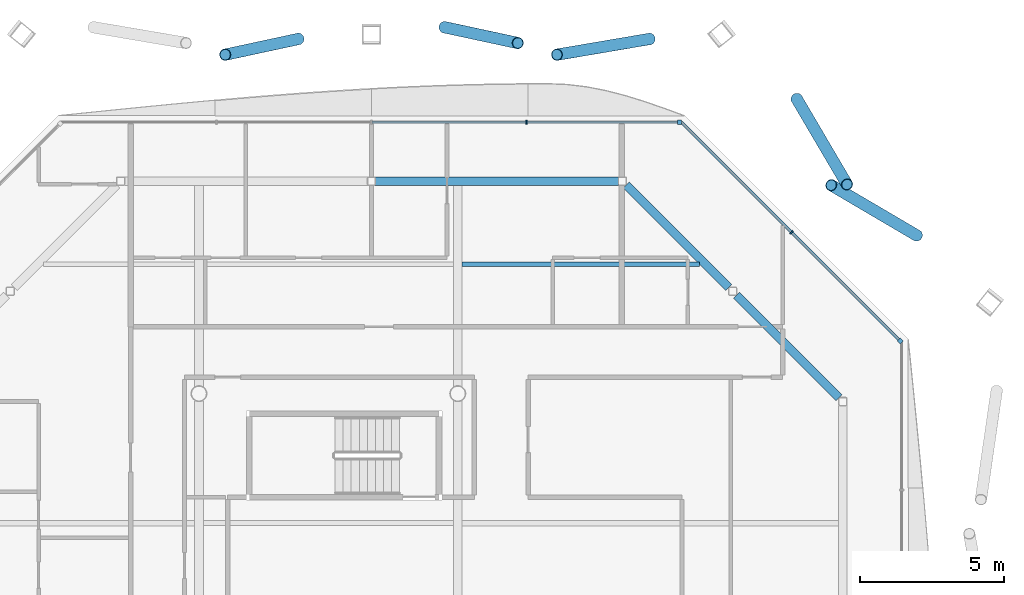
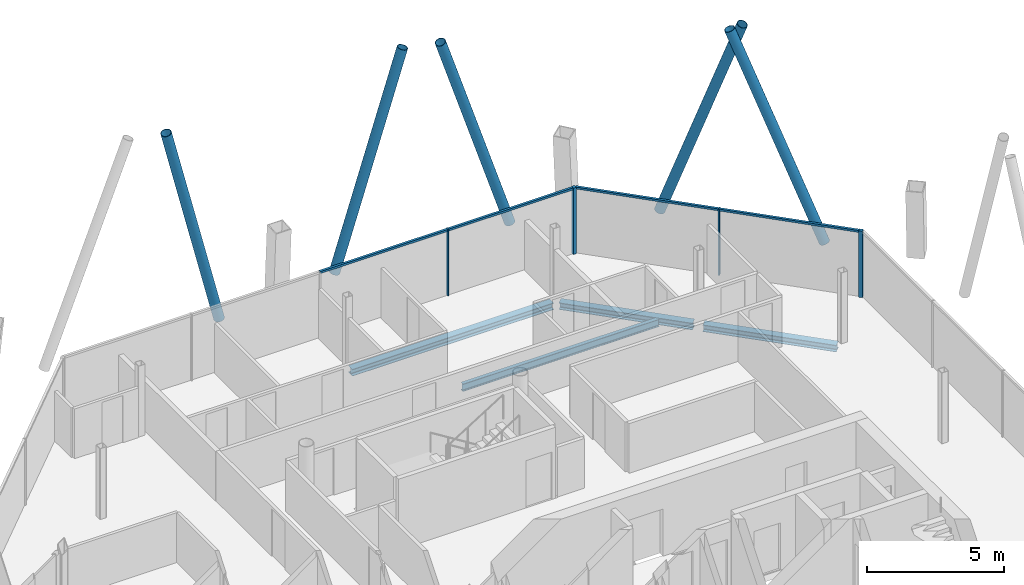
# One storey, part 10 of 17: 13 members, 4 beams, 2 elements without a shape of their own.
"""IFC4 building model written with IfcOpenShell, lengths in metres."""

import ifcopenshell
import ifcopenshell.guid

model = None  # the IFC model being written
_history = None  # IfcOwnerHistory: only IFC2X3 demands one
_inside = {}  # id of a spatial element -> (the spatial element, [elements in it])
_under = {}  # id of a project, library or spatial element -> (it, [spatial elements below it])
_declared = {}  # id of a project -> (the project, [libraries it declares])
_typed = {}  # id of a type object -> (the type object, [elements of that type])
_made_of = {}  # id of a material, layer set ... -> (it, [elements and type objects made of it])


def new_model(schema):
    """Start an empty IFC model of exactly this schema.

    Asked for "IFC4X3", IfcOpenShell would pick the latest addendum, in which some entities
    have other attributes; the version numbers below select the first issue.
    IFC2X3 requires an IfcOwnerHistory on every rooted entity: one is made here for all.
    """
    global model, _history
    if schema == "IFC4X3":
        model = ifcopenshell.file(schema_version=(4, 3, 0, 0))
    else:
        model = ifcopenshell.file(schema=schema)
    _inside.clear()
    _under.clear()
    _declared.clear()
    _typed.clear()
    _made_of.clear()
    _history = None
    if model.schema == "IFC2X3":
        org = make("IfcOrganization", Name="unknown")
        user = make(
            "IfcPersonAndOrganization",
            ThePerson=make("IfcPerson", FamilyName="unknown"),
            TheOrganization=org,
        )
        app = make(
            "IfcApplication",
            ApplicationDeveloper=org,
            Version="unknown",
            ApplicationFullName="unknown",
            ApplicationIdentifier="unknown",
        )
        _history = make(
            "IfcOwnerHistory",
            OwningUser=user,
            OwningApplication=app,
            ChangeAction="ADDED",
            CreationDate=0,
        )
    return model


def make(cls, **values):
    """One entity of the class cls with the attributes given. An attribute that is None is left unset."""
    return model.create_entity(
        cls, **{name: value for name, value in values.items() if value is not None}
    )


def rooted(cls, **values):
    """An entity with a GlobalId (a new one), such as an element, a storey or a relation."""
    return make(cls, GlobalId=ifcopenshell.guid.new(), OwnerHistory=_history, **values)


def si_unit(unit_type, name, prefix=None):
    """IfcSIUnit, for example si_unit("LENGTHUNIT", "METRE", prefix="MILLI")."""
    return make("IfcSIUnit", UnitType=unit_type, Prefix=prefix, Name=name)


def assignment(units):
    """IfcUnitAssignment: the units of a project."""
    return None if units is None else make("IfcUnitAssignment", Units=units)


def point(xyz):
    """IfcCartesianPoint."""
    return None if xyz is None else make("IfcCartesianPoint", Coordinates=xyz)


def direction(xyz):
    """IfcDirection."""
    return None if xyz is None else make("IfcDirection", DirectionRatios=xyz)


def frame(location, z_axis=None, x_axis=None):
    """IfcAxis2Placement3D, a coordinate frame: its origin and axes. An axis left out is left unset."""
    return make(
        "IfcAxis2Placement3D",
        Location=point(location),
        Axis=direction(z_axis),
        RefDirection=direction(x_axis),
    )


def frame_2d(location, x_axis=None):
    """IfcAxis2Placement2D, a coordinate frame in the plane: its origin and x axis."""
    return make(
        "IfcAxis2Placement2D", Location=point(location), RefDirection=direction(x_axis)
    )


def origin():
    """The frame at (0, 0, 0) with its axes left unset."""
    return frame((0.0, 0.0, 0.0))


def origin_2d():
    """The frame at (0, 0) in the plane with its x axis left unset."""
    return frame_2d((0.0, 0.0))


def place(relative_to, where):
    """IfcLocalPlacement: puts the frame where relative to a parent placement (None: the world)."""
    return make(
        "IfcLocalPlacement", PlacementRelTo=relative_to, RelativePlacement=where
    )


def context(
    kind, dimensions, precision=None, world=None, true_north=None, identifier=None
):
    """IfcGeometricRepresentationContext, for example the 3D "Model" context."""
    return make(
        "IfcGeometricRepresentationContext",
        ContextIdentifier=identifier,
        ContextType=kind,
        CoordinateSpaceDimension=dimensions,
        Precision=precision,
        WorldCoordinateSystem=world,
        TrueNorth=true_north,
    )


def subcontext(parent, identifier, kind, view, scale=None):
    """IfcGeometricRepresentationSubContext, for example "Body" below "Model"."""
    return make(
        "IfcGeometricRepresentationSubContext",
        ContextIdentifier=identifier,
        ContextType=kind,
        ParentContext=parent,
        TargetScale=scale,
        TargetView=view,
    )


def project(units=None, contexts=None):
    """IfcProject with its units and contexts."""
    return rooted(
        "IfcProject",
        Name="project",
        RepresentationContexts=contexts,
        UnitsInContext=assignment(units),
    )


def spatial(cls, under=None, at=None, **own):
    """A site, building, storey or space (cls), placed at a placement, below another one or the project."""
    s = rooted(cls, ObjectPlacement=at, **own)
    if under is not None:
        _under.setdefault(under.id(), (under, []))[1].append(s)
    return s


def profile(cls, at=None, kind="AREA", **sizes):
    """A parametric profile (cls). Its sizes go by their IFC names, for example OverallWidth=200.0."""
    return make(cls, ProfileType=kind, Position=at, **sizes)


def rectangle(**sizes):
    """IfcRectangleProfileDef."""
    return profile("IfcRectangleProfileDef", **sizes)


def hollow_circle(**sizes):
    """IfcCircleHollowProfileDef."""
    return profile("IfcCircleHollowProfileDef", **sizes)


def i_section(**sizes):
    """IfcIShapeProfileDef."""
    return profile("IfcIShapeProfileDef", **sizes)


def extrude(swept, where, along, depth):
    """IfcExtrudedAreaSolid: the profile swept, set in the frame where, extruded along a direction by depth."""
    return make(
        "IfcExtrudedAreaSolid",
        SweptArea=swept,
        Position=where,
        ExtrudedDirection=direction(along),
        Depth=depth,
    )


def shape(context_of_items, identifier, shape_type, items):
    """IfcShapeRepresentation: the items that make up one representation, for example the "Body"."""
    return make(
        "IfcShapeRepresentation",
        ContextOfItems=context_of_items,
        RepresentationIdentifier=identifier,
        RepresentationType=shape_type,
        Items=items,
    )


def material(Name=None, Category=None):
    """IfcMaterial."""
    return make("IfcMaterial", Name=Name, Category=Category)


def material_profile(
    of_material, cross_section, Name=None, Category=None, Priority=None
):
    """IfcMaterialProfile: a cross section and its material."""
    return make(
        "IfcMaterialProfile",
        Name=Name,
        Material=of_material,
        Profile=cross_section,
        Priority=Priority,
        Category=Category,
    )


def profile_set(profiles, Name=None, composite=None):
    """IfcMaterialProfileSet."""
    return make(
        "IfcMaterialProfileSet",
        Name=Name,
        MaterialProfiles=profiles,
        CompositeProfile=composite,
    )


def made_of(thing, what):
    """Note that an element or type object is made of a material, layer set ...; save() writes the relation."""
    if what is not None:
        _made_of.setdefault(what.id(), (what, []))[1].append(thing)
    return thing


def type_object(cls, material=None, **own):
    """A type object (cls), such as IfcWallType, which elements share."""
    return made_of(rooted(cls, **own), material)


def element(
    cls,
    number,
    at=None,
    inside=None,
    cuts=None,
    type_object=None,
    material=None,
    context=None,
    identifier="Body",
    shape_type=None,
    held_by="IfcProductDefinitionShape",
    body=None,
    shapes=None,
    **own,
):
    """One element of the class cls, such as IfcWall. Its Tag is "e" and its number.

    at: its placement. inside: the storey or other place that contains it. cuts: it is an
    opening in that element (IfcRelVoidsElement). A single representation is given by context,
    identifier, shape_type and body (its items); several are given by shapes. held_by: the class
    of the entity that holds the representations. save() writes the other relations.
    """
    e = rooted(cls, Tag="e%d" % number, ObjectPlacement=at, **own)
    if body is not None:
        shapes = [shape(context, identifier, shape_type, body)]
    if shapes is not None:
        e.Representation = make(held_by, Representations=shapes)
    if inside is not None:
        _inside.setdefault(inside.id(), (inside, []))[1].append(e)
    if cuts is not None:
        rooted(
            "IfcRelVoidsElement", RelatingBuildingElement=cuts, RelatedOpeningElement=e
        )
    if type_object is not None:
        _typed.setdefault(type_object.id(), (type_object, []))[1].append(e)
    return made_of(e, material)


def aggregate(whole, parts):
    """IfcRelAggregates: a whole, such as a stair, and the parts it consists of."""
    return rooted("IfcRelAggregates", RelatingObject=whole, RelatedObjects=parts)


def save(model, path):
    """Write the relations noted so far, then the file.

    IfcRelAggregates (storeys below a building ...), IfcRelContainedInSpatialStructure (elements
    in a storey), IfcRelDefinesByType, IfcRelAssociatesMaterial and IfcRelDeclares: one each for
    every whole, place, type object, material and project.
    """
    for whole, parts in _under.values():
        aggregate(whole, parts)
    for where, things in _inside.values():
        rooted(
            "IfcRelContainedInSpatialStructure",
            RelatedElements=things,
            RelatingStructure=where,
        )
    for kind, things in _typed.values():
        rooted("IfcRelDefinesByType", RelatedObjects=things, RelatingType=kind)
    for what, things in _made_of.values():
        rooted("IfcRelAssociatesMaterial", RelatedObjects=things, RelatingMaterial=what)
    for by, libraries in _declared.values():
        rooted("IfcRelDeclares", RelatingContext=by, RelatedDefinitions=libraries)
    model.write(path)


model = new_model("IFC4")

# Units and contexts
model_context = context("Model", 3, precision=1e-05, world=origin(), true_north=direction((0.0, 1.0)))
body_context = subcontext(model_context, "Body", "Model", "MODEL_VIEW")
ifc_project = project(units=[si_unit("LENGTHUNIT", "METRE"), si_unit("AREAUNIT", "SQUARE_METRE"), si_unit("VOLUMEUNIT", "CUBIC_METRE"), si_unit("PLANEANGLEUNIT", "RADIAN"), si_unit("MASSUNIT", "GRAM", prefix="KILO")], contexts=[model_context])

# Site, building, storey
site_placement = place(None, origin())
site = spatial("IfcSite", under=ifc_project, at=site_placement, CompositionType="ELEMENT")
building_placement = place(site_placement, origin())
building = spatial("IfcBuilding", under=site, at=building_placement, Name="Tskaro Facet Tower", CompositionType="ELEMENT")
storey_placement = place(building_placement, frame((0.0, 0.0, 226.64990234375)))
storey = spatial("IfcBuildingStorey", under=building, at=storey_placement, Name="L58", CompositionType="ELEMENT", Elevation=226.64990234375)

# Members
ifc_material_1 = material(Name="Steel S355J2H", Category="steel")
ifc_material_profile_1 = material_profile(ifc_material_1, hollow_circle(Radius=0.203125, WallThickness=0.02001953125, at=origin_2d()), Name="CHS 406.4x20")
ifc_profile_set_1 = profile_set([ifc_material_profile_1], Name="Steel S355J2H")
member_type_1 = type_object("IfcMemberType", Name="CHS 406.4x20 brace", PredefinedType="BRACE", material=ifc_profile_set_1)
for number, where, z_axis, x_axis, name in (
    (1, (15.964111328125, 14.5, 0.0), (-0.295912074272, 0.173907489652, 0.939250887326), (-0.506677147958, -0.86213587545, 0.0), "CHS 406.4x20 XB06A/5"),
    (2, (11.787353515625, 19.25146484375, 0.0), (0.173907489652, -0.295912074272, 0.939250887326), (0.86213587545, 0.506677147958, 0.0), "CHS 406.4x20 XB06B/5"),
):
    element("IfcMember", number, at=place(storey_placement, frame(where, z_axis=z_axis, x_axis=x_axis)), inside=storey, type_object=member_type_1, Name=name, PredefinedType="BRACE", context=body_context, shape_type="SweptSolid", body=[
        extrude(hollow_circle(Radius=0.203125, WallThickness=0.02001953125, at=origin_2d()), origin(), (0.0, 0.0, 1.0), 10.0615234375),
    ])
member_1_placement = place(storey_placement, frame((6.67041015625, 21.333740234375, 0.0), z_axis=(-0.322344399779, -0.054786096577, 0.945035751468), x_axis=(0.167558481985, -0.985862137986, 0.0)))
element("IfcMember", 3, at=member_1_placement, inside=storey, type_object=member_type_1, Name="CHS 406.4x20 XB07A/5", PredefinedType="BRACE", context=body_context, shape_type="SweptSolid", body=[
    extrude(hollow_circle(Radius=0.203125, WallThickness=0.02001953125, at=origin_2d()), origin(), (0.0, 0.0, 1.0), 9.999755859375),
])
for number, where, z_axis, x_axis, name in (
    (4, (-0.4560546875, 21.740234375, 0.0), (0.259534567966, -0.055916996649, 0.964113633093), (0.210618145957, 0.977568410186, 0.0), "CHS 406.4x20 XB07B/5"),
    (5, (-5.5439453125, 21.333740234375, 0.0), (-0.259534929352, -0.055892167127, 0.964114975561), (0.210528488456, -0.977587722687, 0.0), "CHS 406.4x20 XB08A/5"),
):
    element("IfcMember", number, at=place(storey_placement, frame(where, z_axis=z_axis, x_axis=x_axis)), inside=storey, type_object=member_type_1, Name=name, PredefinedType="BRACE", context=body_context, shape_type="SweptSolid", body=[
        extrude(hollow_circle(Radius=0.203125, WallThickness=0.02001953125, at=origin_2d()), origin(), (0.0, 0.0, 1.0), 9.802001953125),
    ])

# Curtain wall, member
ifc_material_2 = material(Name="Bronze anodised aluminium 6063-T6", Category="aluminium")
curtain_wall_type = type_object("IfcCurtainWallType", Name="Bronze residence curtain wall (FW3)", PredefinedType="NOTDEFINED", material=ifc_material_2)
curtain_wall_1_placement = place(storey_placement, origin())
curtain_wall_1 = element("IfcCurtainWall", 6, at=curtain_wall_1_placement, inside=storey, type_object=curtain_wall_type, Name="FW3 north-east facet L58", PredefinedType="NOTDEFINED")
ifc_material_profile_2 = material_profile(ifc_material_2, rectangle(XDim=0.139892578125, YDim=0.139892578125, at=origin_2d()), Name="Corner post 140x140")
ifc_profile_set_2 = profile_set([ifc_material_profile_2], Name="Bronze anodised aluminium 6063-T6")
member_type_2 = type_object("IfcMemberType", Name="FW3 bronze corner post 140x140", PredefinedType="MULLION", material=ifc_profile_set_2)
member_2_placement = place(storey_placement, frame((15.387451171875, 10.82861328125, 0.0), z_axis=(0.0, 0.0, 1.0), x_axis=(-0.707106781187, 0.707106781187, 0.0)))
member_2 = element("IfcMember", 7, at=member_2_placement, type_object=member_type_2, Name="FW3 north-east corner post", PredefinedType="MULLION", context=body_context, shape_type="SweptSolid", body=[
    extrude(rectangle(XDim=0.139892578125, YDim=0.139892578125, at=origin_2d()), origin(), (0.0, 0.0, 1.0), 2.9501953125),
])

curtain_wall_2_placement = place(storey_placement, origin())
curtain_wall_2 = element("IfcCurtainWall", 8, at=curtain_wall_2_placement, inside=storey, type_object=curtain_wall_type, Name="FW3 north facet L58", PredefinedType="NOTDEFINED")
member_3_placement = place(storey_placement, frame((7.708984375, 18.43701171875, 0.0), z_axis=(0.0, 0.0, 1.0), x_axis=(-1.0, 0.0, 0.0)))
member_3 = element("IfcMember", 9, at=member_3_placement, type_object=member_type_2, Name="FW3 north corner post", PredefinedType="MULLION", context=body_context, shape_type="SweptSolid", body=[
    extrude(rectangle(XDim=0.139892578125, YDim=0.139892578125, at=origin_2d()), origin(), (0.0, 0.0, 1.0), 2.9501953125),
])

# Member
ifc_material_profile_3 = material_profile(ifc_material_2, rectangle(XDim=0.050048828125, YDim=0.139892578125, at=origin_2d()), Name="Mullion 50x140")
ifc_profile_set_3 = profile_set([ifc_material_profile_3], Name="Bronze anodised aluminium 6063-T6")
member_type_3 = type_object("IfcMemberType", Name="FW3 bronze mullion 50x140", PredefinedType="MULLION", material=ifc_profile_set_3)
member_4_placement = place(storey_placement, frame((11.60791015625, 14.60791015625, 0.0), z_axis=(0.0, 0.0, 1.0), x_axis=(-0.707106781187, 0.707106781187, 0.0)))
member_4 = element("IfcMember", 10, at=member_4_placement, type_object=member_type_3, Name="FW3 north-east mullion 1", PredefinedType="MULLION", context=body_context, shape_type="SweptSolid", body=[
    extrude(rectangle(XDim=0.050048828125, YDim=0.139892578125, at=origin_2d()), origin(), (0.0, 0.0, 1.0), 2.9501953125),
])

member_5_placement = place(storey_placement, frame((2.389404296875, 18.43701171875, 0.0), z_axis=(0.0, 0.0, 1.0), x_axis=(-1.0, 0.0, 0.0)))
member_5 = element("IfcMember", 11, at=member_5_placement, type_object=member_type_3, Name="FW3 north mullion 1", PredefinedType="MULLION", context=body_context, shape_type="SweptSolid", body=[
    extrude(rectangle(XDim=0.050048828125, YDim=0.139892578125, at=origin_2d()), origin(), (0.0, 0.0, 1.0), 2.9501953125),
])

ifc_material_profile_4 = material_profile(ifc_material_2, rectangle(XDim=0.10009765625, YDim=0.090087890625, at=origin_2d()), Name="Transom 100x90")
ifc_profile_set_4 = profile_set([ifc_material_profile_4], Name="Bronze anodised aluminium 6063-T6")
member_type_4 = type_object("IfcMemberType", Name="FW3 bronze transom 100x90", PredefinedType="USERDEFINED", material=ifc_profile_set_4)
member_6_placement = place(storey_placement, frame((15.337890625, 10.8779296875, 2.905029296875), z_axis=(-0.707083529126, 0.707130032482, 0.0), x_axis=(-0.707130032482, -0.707083529126, 0.0)))
member_6 = element("IfcMember", 12, at=member_6_placement, type_object=member_type_4, Name="FW3 north-east transom 1.1", ObjectType="TRANSOM", PredefinedType="USERDEFINED", context=body_context, shape_type="SweptSolid", body=[
    extrude(rectangle(XDim=0.10009765625, YDim=0.090087890625, at=origin_2d()), origin(), (0.0, 0.0, 1.0), 5.25),
])

member_7_placement = place(storey_placement, frame((11.59033203125, 14.625732421875, 2.905029296875), z_axis=(-0.707106781187, 0.707106781187, 0.0), x_axis=(-0.707106781187, -0.707106781187, 0.0)))
member_7 = element("IfcMember", 13, at=member_7_placement, type_object=member_type_4, Name="FW3 north-east transom 2.1", ObjectType="TRANSOM", PredefinedType="USERDEFINED", context=body_context, shape_type="SweptSolid", body=[
    extrude(rectangle(XDim=0.10009765625, YDim=0.090087890625, at=origin_2d()), origin(), (0.0, 0.0, 1.0), 5.389892578125),
])

aggregate(curtain_wall_1, [member_2, member_4, member_6, member_7])

member_8_placement = place(storey_placement, frame((7.638916015625, 18.43701171875, 2.905029296875), z_axis=(-1.0, 0.0, 0.0), x_axis=(0.0, -1.0, 0.0)))
member_8 = element("IfcMember", 14, at=member_8_placement, type_object=member_type_4, Name="FW3 north transom 1.1", ObjectType="TRANSOM", PredefinedType="USERDEFINED", context=body_context, shape_type="SweptSolid", body=[
    extrude(rectangle(XDim=0.10009765625, YDim=0.090087890625, at=origin_2d()), origin(), (0.0, 0.0, 1.0), 5.224365234375),
])

member_9_placement = place(storey_placement, frame((2.364501953125, 18.43701171875, 2.905029296875), z_axis=(-1.0, 0.0, 0.0), x_axis=(0.0, -1.0, 0.0)))
member_9 = element("IfcMember", 15, at=member_9_placement, type_object=member_type_4, Name="FW3 north transom 2.1", ObjectType="TRANSOM", PredefinedType="USERDEFINED", context=body_context, shape_type="SweptSolid", body=[
    extrude(rectangle(XDim=0.10009765625, YDim=0.090087890625, at=origin_2d()), origin(), (0.0, 0.0, 1.0), 5.339599609375),
])

aggregate(curtain_wall_2, [member_3, member_5, member_8, member_9])

# Beams
ifc_material_3 = material(Name="Steel S355J2", Category="steel")
ifc_material_profile_5 = material_profile(ifc_material_3, i_section(OverallWidth=0.300048828125, OverallDepth=0.300048828125, WebThickness=0.010986328125, FlangeThickness=0.01904296875, FilletRadius=0.027099609375, at=origin_2d()), Name="HE 300 B")
ifc_profile_set_5 = profile_set([ifc_material_profile_5], Name="Steel S355J2")
beam_type_1 = type_object("IfcBeamType", Name="HE 300 B ring beam", PredefinedType="BEAM", material=ifc_profile_set_5)
for number, where, z_axis, x_axis, name in (
    (16, (13.255126953125, 8.86083984375, -0.289794921875), (-0.707106781187, 0.707106781187, 0.0), (-0.707106781187, -0.707106781187, 0.0), "HE 300 B EB8-5"),
    (17, (9.422119140625, 12.69384765625, -0.289794921875), (-0.707106781187, 0.707106781187, 0.0), (-0.707106781187, -0.707106781187, 0.0), "HE 300 B EB9-5"),
):
    element("IfcBeam", number, at=place(storey_placement, frame(where, z_axis=z_axis, x_axis=x_axis)), inside=storey, type_object=beam_type_1, Name=name, PredefinedType="BEAM", context=body_context, shape_type="SweptSolid", body=[
        extrude(i_section(OverallWidth=0.300048828125, OverallDepth=0.300048828125, WebThickness=0.010986328125, FlangeThickness=0.01904296875, FilletRadius=0.027099609375, at=origin_2d()), origin(), (0.0, 0.0, 1.0), 5.036376953125),
    ])
beam_1_placement = place(storey_placement, frame((5.594970703125, 16.39111328125, -0.289794921875), z_axis=(-1.0, 0.0, 0.0), x_axis=(0.0, -1.0, 0.0)))
element("IfcBeam", 18, at=beam_1_placement, inside=storey, type_object=beam_type_1, Name="HE 300 B EB10-5", PredefinedType="BEAM", context=body_context, shape_type="SweptSolid", body=[
    extrude(i_section(OverallWidth=0.300048828125, OverallDepth=0.300048828125, WebThickness=0.010986328125, FlangeThickness=0.01904296875, FilletRadius=0.027099609375, at=origin_2d()), origin(), (0.0, 0.0, 1.0), 8.465087890625),
])
ifc_material_profile_6 = material_profile(ifc_material_3, i_section(OverallWidth=0.159912109375, OverallDepth=0.330078125, WebThickness=0.007568359375, FlangeThickness=0.011474609375, FilletRadius=0.01806640625, at=origin_2d()), Name="IPE 330")
ifc_profile_set_6 = profile_set([ifc_material_profile_6], Name="Steel S355J2")
beam_type_2 = type_object("IfcBeamType", Name="IPE 330 secondary beam", PredefinedType="BEAM", material=ifc_profile_set_6)
beam_2_placement = place(storey_placement, frame((0.14990234375, 13.5, -0.304931640625), z_axis=(1.0, 0.0, 0.0), x_axis=(0.0, 1.0, 0.0)))
element("IfcBeam", 19, at=beam_2_placement, inside=storey, type_object=beam_type_2, Name="IPE 330 SB5a-3-5", PredefinedType="BEAM", context=body_context, shape_type="SweptSolid", body=[
    extrude(i_section(OverallWidth=0.159912109375, OverallDepth=0.330078125, WebThickness=0.007568359375, FlangeThickness=0.011474609375, FilletRadius=0.01806640625, at=origin_2d()), origin(), (0.0, 0.0, 1.0), 8.254150390625),
])

save(model, "model.ifc")
